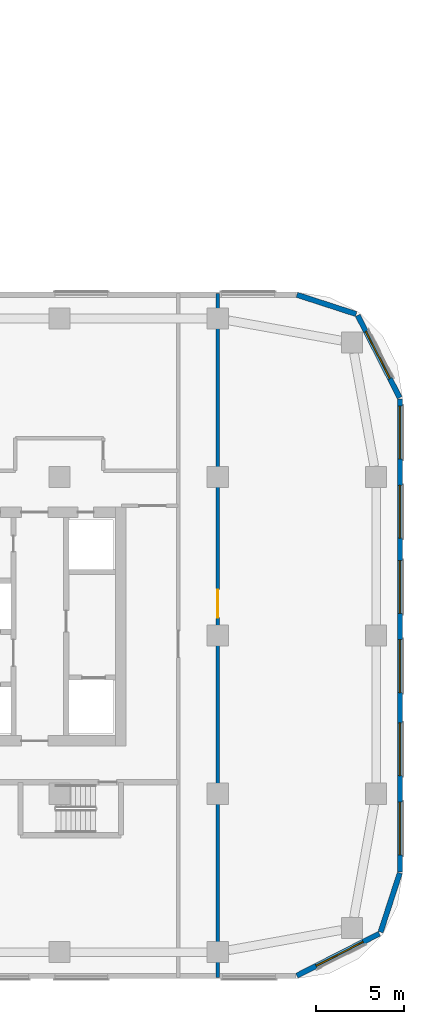
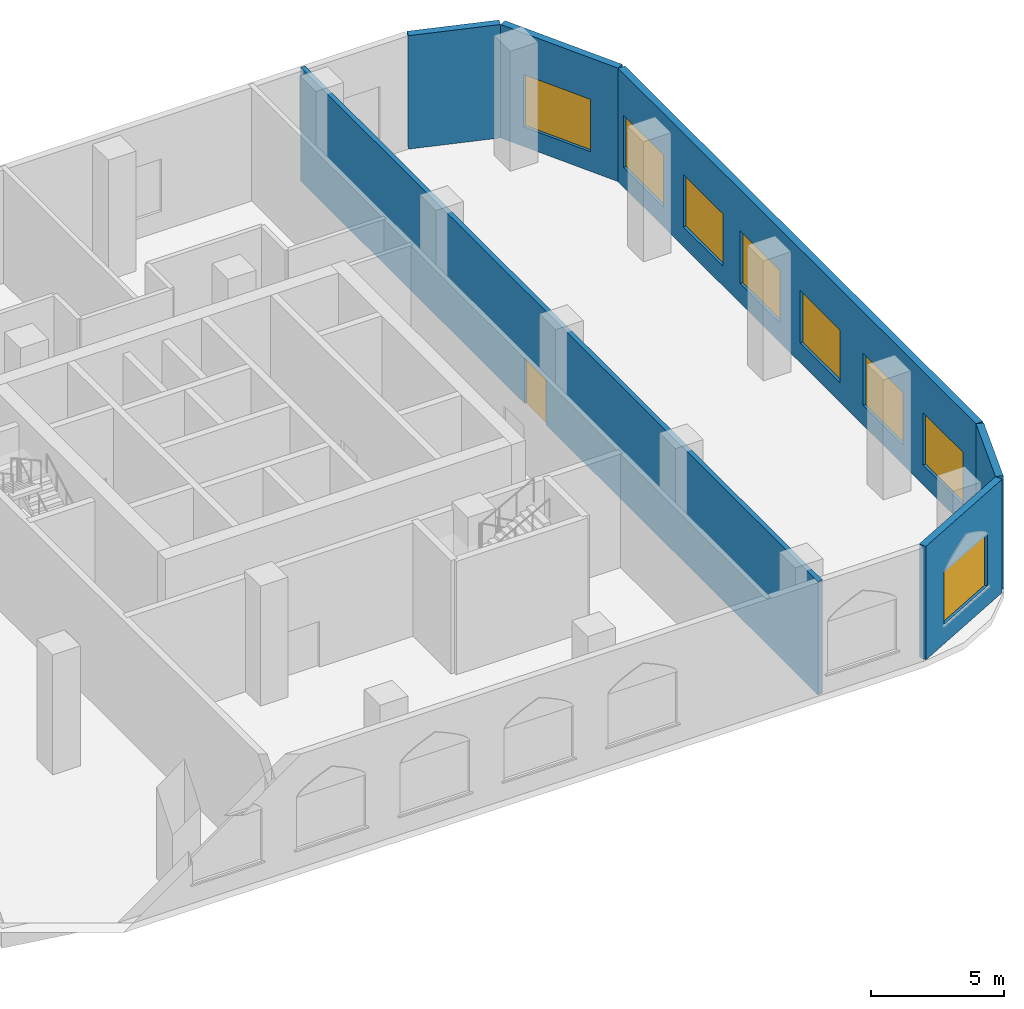
# One storey, part 13 of 31: 8 windows, 6 walls, 1 door, 9 openings.
"""IFC4 building model written with IfcOpenShell, lengths in metres."""

from ifc_helpers import new_model, si_unit, direction, frame, frame_2d, origin, place, context, subcontext, project, spatial, rectangle, extrude, material, layer, layer_set, type_object, element, fill, save


model = new_model("IFC4")

# Units and contexts
model_context = context("Model", 3, precision=1e-05, world=origin(), true_north=direction((0.0, 1.0)))
body_context = subcontext(model_context, "Body", "Model", "MODEL_VIEW")
ifc_project = project(units=[si_unit("LENGTHUNIT", "METRE"), si_unit("AREAUNIT", "SQUARE_METRE"), si_unit("VOLUMEUNIT", "CUBIC_METRE"), si_unit("PLANEANGLEUNIT", "RADIAN"), si_unit("MASSUNIT", "GRAM", prefix="KILO")], contexts=[model_context])

# Site, building, storey
site_placement = place(None, origin())
site = spatial("IfcSite", under=ifc_project, at=site_placement, CompositionType="ELEMENT")
building_placement = place(site_placement, origin())
building = spatial("IfcBuilding", under=site, at=building_placement, Name="Ogive Portal Towers", CompositionType="ELEMENT")
storey_placement = place(building_placement, frame((0.0, 0.0, 8.0)))
storey = spatial("IfcBuildingStorey", under=building, at=storey_placement, Name="L01", CompositionType="ELEMENT", Elevation=8.0)

# Wall, opening, window
ifc_material_1 = material(Name="Limestone cladding on lightweight block wall", Category="masonry")
ifc_layer_1 = layer(ifc_material_1, 0.300048828125)
ifc_layer_set_1 = layer_set([ifc_layer_1], Name="EXTERNAL WALL 300 STONE")
wall_type_1 = type_object("IfcWallType", Name="EXTERNAL WALL 300 STONE", PredefinedType="SOLIDWALL", material=ifc_layer_set_1)
wall_1_placement = place(storey_placement, frame((153.99609375, 11.166259765625, 0.0), z_axis=(0.0, 0.0, 1.0), x_axis=(0.890998339455, 0.454006562826, 0.0)))
wall_1 = element("IfcWall", 1, at=wall_1_placement, inside=storey, type_object=wall_type_1, Name="B:L01:f03:w0", PredefinedType="SOLIDWALL", context=body_context, shape_type="SweptSolid", body=[
    extrude(rectangle(XDim=5.251708984375, YDim=0.300048828125, at=frame_2d((2.6259765625, 0.0))), origin(), (0.0, 0.0, 1.0), 5.199951171875),
])
opening_1_placement = place(wall_1_placement, frame((1.223876953125, 0.0, 0.89990234375)))
opening_1 = element("IfcOpeningElement", 2, at=opening_1_placement, cuts=wall_1, Name="Opening WN3", PredefinedType="OPENING", context=body_context, shape_type="SweptSolid", body=[
    extrude(rectangle(XDim=3.0, YDim=2.39990234375, at=frame_2d((1.5, 1.199951171875))), frame((0.0, 0.16015625, 0.0), z_axis=(0.0, -1.0, 0.0), x_axis=(1.0, 0.0, 0.0)), (0.0, 0.0, 1.0), 0.320068359375),
])
ifc_material_2 = material(Name="Glass, clear low-iron insulated glazing", Category="glass")
window_type = type_object("IfcWindowType", Name="WINDOW PODIUM 3000x2400", PartitioningType="SINGLE_PANEL", PredefinedType="WINDOW", material=ifc_material_2)
window_1_placement = place(opening_1_placement, origin())
window_1 = element("IfcWindow", 3, at=window_1_placement, inside=storey, type_object=window_type, Name="B:L01:f03:w0:o0", OverallHeight=2.39990234375, OverallWidth=3.0, PartitioningType="SINGLE_PANEL", PredefinedType="WINDOW", context=body_context, shape_type="SweptSolid", body=[
    extrude(rectangle(XDim=3.0, YDim=2.39990234375, at=frame_2d((1.5, 1.199951171875))), frame((0.0, 0.030029296875, 0.0), z_axis=(0.0, -1.0, 0.0), x_axis=(1.0, 0.0, 0.0)), (0.0, 0.0, 1.0), 0.06005859375),
])
fill(opening_1, window_1)

# Wall
wall_2_placement = place(storey_placement, frame((158.749755859375, 13.637939453125, 0.0), z_axis=(0.0, 0.0, 1.0), x_axis=(0.309073584194, 0.951038127287, 0.0)))
element("IfcWall", 4, at=wall_2_placement, inside=storey, type_object=wall_type_1, Name="B:L01:f04:w0", PredefinedType="SOLIDWALL", context=body_context, shape_type="SweptSolid", body=[
    extrude(rectangle(XDim=3.536376953125, YDim=0.300048828125, at=frame_2d((1.76806640625, 0.0))), origin(), (0.0, 0.0, 1.0), 5.199951171875),
])

# Wall, openings, windows
wall_3_placement = place(storey_placement, frame((159.85009765625, 17.047607421875, 0.0), z_axis=(0.0, 0.0, 1.0), x_axis=(0.0, 1.0, 0.0)))
wall_3 = element("IfcWall", 5, at=wall_3_placement, inside=storey, type_object=wall_type_1, Name="B:L01:f05:w0", PredefinedType="SOLIDWALL", context=body_context, shape_type="SweptSolid", body=[
    extrude(rectangle(XDim=26.88037109375, YDim=0.300048828125, at=frame_2d((13.440185546875, 0.0))), origin(), (0.0, 0.0, 1.0), 5.199951171875),
])
opening_2_placement = place(wall_3_placement, frame((0.976318359375, 0.0, 0.89990234375)))
opening_2 = element("IfcOpeningElement", 6, at=opening_2_placement, cuts=wall_3, Name="Opening WN3", PredefinedType="OPENING", context=body_context, shape_type="SweptSolid", body=[
    extrude(rectangle(XDim=3.0, YDim=2.39990234375, at=frame_2d((1.5, 1.199951171875))), frame((0.0, 0.16015625, 0.0), z_axis=(0.0, -1.0, 0.0), x_axis=(1.0, 0.0, 0.0)), (0.0, 0.0, 1.0), 0.320068359375),
])
opening_3_placement = place(wall_3_placement, frame((5.476318359375, 0.0, 0.89990234375)))
opening_3 = element("IfcOpeningElement", 7, at=opening_3_placement, cuts=wall_3, Name="Opening WN3", PredefinedType="OPENING", context=body_context, shape_type="SweptSolid", body=[
    extrude(rectangle(XDim=3.0, YDim=2.39990234375, at=frame_2d((1.5, 1.199951171875))), frame((0.0, 0.16015625, 0.0), z_axis=(0.0, -1.0, 0.0), x_axis=(1.0, 0.0, 0.0)), (0.0, 0.0, 1.0), 0.320068359375),
])
opening_4_placement = place(wall_3_placement, frame((10.202392578125, 0.0, 0.89990234375)))
opening_4 = element("IfcOpeningElement", 8, at=opening_4_placement, cuts=wall_3, Name="Opening WN3", PredefinedType="OPENING", context=body_context, shape_type="SweptSolid", body=[
    extrude(rectangle(XDim=3.0, YDim=2.39990234375, at=frame_2d((1.5, 1.199951171875))), frame((0.0, 0.16015625, 0.0), z_axis=(0.0, -1.0, 0.0), x_axis=(1.0, 0.0, 0.0)), (0.0, 0.0, 1.0), 0.320068359375),
])
opening_5_placement = place(wall_3_placement, frame((14.702392578125, 0.0, 0.89990234375)))
opening_5 = element("IfcOpeningElement", 9, at=opening_5_placement, cuts=wall_3, Name="Opening WN3", PredefinedType="OPENING", context=body_context, shape_type="SweptSolid", body=[
    extrude(rectangle(XDim=3.0, YDim=2.39990234375, at=frame_2d((1.5, 1.199951171875))), frame((0.0, 0.16015625, 0.0), z_axis=(0.0, -1.0, 0.0), x_axis=(1.0, 0.0, 0.0)), (0.0, 0.0, 1.0), 0.320068359375),
])
opening_6_placement = place(wall_3_placement, frame((18.976318359375, 0.0, 0.89990234375)))
opening_6 = element("IfcOpeningElement", 10, at=opening_6_placement, cuts=wall_3, Name="Opening WN3", PredefinedType="OPENING", context=body_context, shape_type="SweptSolid", body=[
    extrude(rectangle(XDim=3.0, YDim=2.39990234375, at=frame_2d((1.5, 1.199951171875))), frame((0.0, 0.16015625, 0.0), z_axis=(0.0, -1.0, 0.0), x_axis=(1.0, 0.0, 0.0)), (0.0, 0.0, 1.0), 0.320068359375),
])
opening_7_placement = place(wall_3_placement, frame((23.476318359375, 0.0, 0.89990234375)))
opening_7 = element("IfcOpeningElement", 11, at=opening_7_placement, cuts=wall_3, Name="Opening WN3", PredefinedType="OPENING", context=body_context, shape_type="SweptSolid", body=[
    extrude(rectangle(XDim=3.0, YDim=2.39990234375, at=frame_2d((1.5, 1.199951171875))), frame((0.0, 0.16015625, 0.0), z_axis=(0.0, -1.0, 0.0), x_axis=(1.0, 0.0, 0.0)), (0.0, 0.0, 1.0), 0.320068359375),
])
window_2_placement = place(opening_2_placement, origin())
window_2 = element("IfcWindow", 12, at=window_2_placement, inside=storey, type_object=window_type, Name="B:L01:f05:w0:o0a", OverallHeight=2.39990234375, OverallWidth=3.0, PartitioningType="SINGLE_PANEL", PredefinedType="WINDOW", context=body_context, shape_type="SweptSolid", body=[
    extrude(rectangle(XDim=3.0, YDim=2.39990234375, at=frame_2d((1.5, 1.199951171875))), frame((0.0, 0.030029296875, 0.0), z_axis=(0.0, -1.0, 0.0), x_axis=(1.0, 0.0, 0.0)), (0.0, 0.0, 1.0), 0.06005859375),
])
fill(opening_2, window_2)
window_3_placement = place(opening_3_placement, origin())
window_3 = element("IfcWindow", 13, at=window_3_placement, inside=storey, type_object=window_type, Name="B:L01:f05:w0:o0b", OverallHeight=2.39990234375, OverallWidth=3.0, PartitioningType="SINGLE_PANEL", PredefinedType="WINDOW", context=body_context, shape_type="SweptSolid", body=[
    extrude(rectangle(XDim=3.0, YDim=2.39990234375, at=frame_2d((1.5, 1.199951171875))), frame((0.0, 0.030029296875, 0.0), z_axis=(0.0, -1.0, 0.0), x_axis=(1.0, 0.0, 0.0)), (0.0, 0.0, 1.0), 0.06005859375),
])
fill(opening_3, window_3)
window_4_placement = place(opening_4_placement, origin())
window_4 = element("IfcWindow", 14, at=window_4_placement, inside=storey, type_object=window_type, Name="B:L01:f05:w0:o1a", OverallHeight=2.39990234375, OverallWidth=3.0, PartitioningType="SINGLE_PANEL", PredefinedType="WINDOW", context=body_context, shape_type="SweptSolid", body=[
    extrude(rectangle(XDim=3.0, YDim=2.39990234375, at=frame_2d((1.5, 1.199951171875))), frame((0.0, 0.030029296875, 0.0), z_axis=(0.0, -1.0, 0.0), x_axis=(1.0, 0.0, 0.0)), (0.0, 0.0, 1.0), 0.06005859375),
])
fill(opening_4, window_4)
window_5_placement = place(opening_5_placement, origin())
window_5 = element("IfcWindow", 15, at=window_5_placement, inside=storey, type_object=window_type, Name="B:L01:f05:w0:o1b", OverallHeight=2.39990234375, OverallWidth=3.0, PartitioningType="SINGLE_PANEL", PredefinedType="WINDOW", context=body_context, shape_type="SweptSolid", body=[
    extrude(rectangle(XDim=3.0, YDim=2.39990234375, at=frame_2d((1.5, 1.199951171875))), frame((0.0, 0.030029296875, 0.0), z_axis=(0.0, -1.0, 0.0), x_axis=(1.0, 0.0, 0.0)), (0.0, 0.0, 1.0), 0.06005859375),
])
fill(opening_5, window_5)
window_6_placement = place(opening_6_placement, origin())
window_6 = element("IfcWindow", 16, at=window_6_placement, inside=storey, type_object=window_type, Name="B:L01:f05:w0:o2a", OverallHeight=2.39990234375, OverallWidth=3.0, PartitioningType="SINGLE_PANEL", PredefinedType="WINDOW", context=body_context, shape_type="SweptSolid", body=[
    extrude(rectangle(XDim=3.0, YDim=2.39990234375, at=frame_2d((1.5, 1.199951171875))), frame((0.0, 0.030029296875, 0.0), z_axis=(0.0, -1.0, 0.0), x_axis=(1.0, 0.0, 0.0)), (0.0, 0.0, 1.0), 0.06005859375),
])
fill(opening_6, window_6)
window_7_placement = place(opening_7_placement, origin())
window_7 = element("IfcWindow", 17, at=window_7_placement, inside=storey, type_object=window_type, Name="B:L01:f05:w0:o2b", OverallHeight=2.39990234375, OverallWidth=3.0, PartitioningType="SINGLE_PANEL", PredefinedType="WINDOW", context=body_context, shape_type="SweptSolid", body=[
    extrude(rectangle(XDim=3.0, YDim=2.39990234375, at=frame_2d((1.5, 1.199951171875))), frame((0.0, 0.030029296875, 0.0), z_axis=(0.0, -1.0, 0.0), x_axis=(1.0, 0.0, 0.0)), (0.0, 0.0, 1.0), 0.06005859375),
])
fill(opening_7, window_7)

# Wall, opening, window
wall_4_placement = place(storey_placement, frame((159.833740234375, 43.99609375, 0.0), z_axis=(0.0, 0.0, 1.0), x_axis=(-0.454006562826, 0.890998339455, 0.0)))
wall_4 = element("IfcWall", 18, at=wall_4_placement, inside=storey, type_object=wall_type_1, Name="B:L01:f06:w0", PredefinedType="SOLIDWALL", context=body_context, shape_type="SweptSolid", body=[
    extrude(rectangle(XDim=5.251708984375, YDim=0.300048828125, at=frame_2d((2.6259765625, 0.0))), origin(), (0.0, 0.0, 1.0), 5.199951171875),
])
opening_8_placement = place(wall_4_placement, frame((1.223876953125, 0.0, 0.89990234375)))
opening_8 = element("IfcOpeningElement", 19, at=opening_8_placement, cuts=wall_4, Name="Opening WN3", PredefinedType="OPENING", context=body_context, shape_type="SweptSolid", body=[
    extrude(rectangle(XDim=3.0, YDim=2.39990234375, at=frame_2d((1.5, 1.199951171875))), frame((0.0, 0.16015625, 0.0), z_axis=(0.0, -1.0, 0.0), x_axis=(1.0, 0.0, 0.0)), (0.0, 0.0, 1.0), 0.320068359375),
])
window_8_placement = place(opening_8_placement, origin())
window_8 = element("IfcWindow", 20, at=window_8_placement, inside=storey, type_object=window_type, Name="B:L01:f06:w0:o0", OverallHeight=2.39990234375, OverallWidth=3.0, PartitioningType="SINGLE_PANEL", PredefinedType="WINDOW", context=body_context, shape_type="SweptSolid", body=[
    extrude(rectangle(XDim=3.0, YDim=2.39990234375, at=frame_2d((1.5, 1.199951171875))), frame((0.0, 0.030029296875, 0.0), z_axis=(0.0, -1.0, 0.0), x_axis=(1.0, 0.0, 0.0)), (0.0, 0.0, 1.0), 0.06005859375),
])
fill(opening_8, window_8)

# Wall
wall_5_placement = place(storey_placement, frame((157.362060546875, 48.749755859375, 0.0), z_axis=(0.0, 0.0, 1.0), x_axis=(-0.951038127287, 0.309073584194, 0.0)))
element("IfcWall", 21, at=wall_5_placement, inside=storey, type_object=wall_type_1, Name="B:L01:f07:w0", PredefinedType="SOLIDWALL", context=body_context, shape_type="SweptSolid", body=[
    extrude(rectangle(XDim=3.536376953125, YDim=0.300048828125, at=frame_2d((1.76806640625, 0.0))), origin(), (0.0, 0.0, 1.0), 5.199951171875),
])

# Wall, opening, door
ifc_material_3 = material(Name="Gypsum board partition on steel studs", Category="steel")
ifc_layer_2 = layer(ifc_material_3, 0.199951171875)
ifc_layer_set_2 = layer_set([ifc_layer_2], Name="WT-PART-200-EI 60")
wall_type_2 = type_object("IfcWallType", Name="WT-PART-200-EI 60", PredefinedType="PARTITIONING", material=ifc_layer_set_2)
wall_6_placement = place(storey_placement, frame((149.5, 11.070068359375, 0.0), z_axis=(0.0, 0.0, 1.0), x_axis=(0.0, 1.0, 0.0)))
wall_6 = element("IfcWall", 22, at=wall_6_placement, inside=storey, type_object=wall_type_2, Name="Wall L01:w063", PredefinedType="PARTITIONING", context=body_context, shape_type="SweptSolid", body=[
    extrude(rectangle(XDim=38.85986328125, YDim=0.199951171875, at=frame_2d((19.429931640625, 0.0))), origin(), (0.0, 0.0, 1.0), 5.199951171875),
])
opening_9_placement = place(wall_6_placement, frame((20.429931640625, 0.0, 0.0)))
opening_9 = element("IfcOpeningElement", 23, at=opening_9_placement, cuts=wall_6, Name="Opening P01-040", PredefinedType="OPENING", context=body_context, shape_type="SweptSolid", body=[
    extrude(rectangle(XDim=1.60009765625, YDim=2.10009765625, at=frame_2d((0.800048828125, 1.050048828125))), frame((0.0, 0.10986328125, 0.0), z_axis=(0.0, -1.0, 0.0), x_axis=(1.0, 0.0, 0.0)), (0.0, 0.0, 1.0), 0.219970703125),
])
ifc_material_4 = material(Name="Steel fire door", Category="steel")
door_type = type_object("IfcDoorType", Name="DT-SWING-1600x2100-FD60S", OperationType="SINGLE_SWING_LEFT", PredefinedType="DOOR", material=ifc_material_4)
door_placement = place(opening_9_placement, origin())
door = element("IfcDoor", 24, at=door_placement, inside=storey, type_object=door_type, Name="Door P01-040", OperationType="SINGLE_SWING_RIGHT", OverallHeight=2.10009765625, OverallWidth=1.60009765625, PredefinedType="DOOR", context=body_context, shape_type="SweptSolid", body=[
    extrude(rectangle(XDim=1.60009765625, YDim=2.10009765625, at=frame_2d((0.800048828125, 1.050048828125))), frame((0.0, 0.02490234375, 0.0), z_axis=(0.0, -1.0, 0.0), x_axis=(1.0, 0.0, 0.0)), (0.0, 0.0, 1.0), 0.050048828125),
])
fill(opening_9, door)

save(model, "model.ifc")
